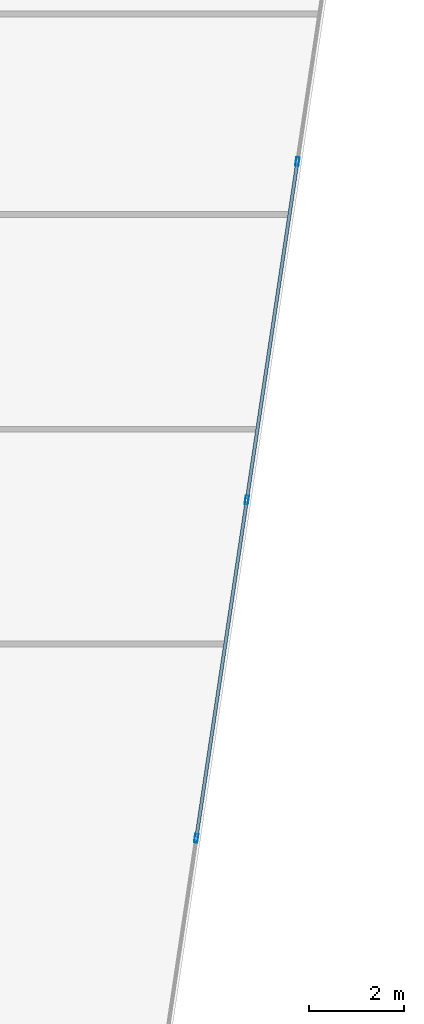
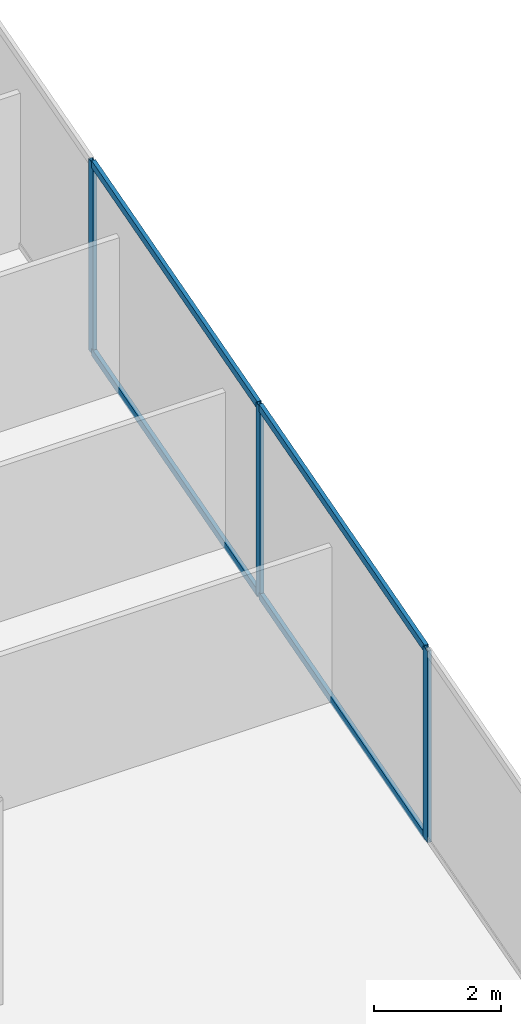
# One storey, part 14 of 29: 7 members, 1 element without a shape of its own.
"""IFC4 building model written with IfcOpenShell, lengths in metres."""

import ifcopenshell
import ifcopenshell.guid

model = None  # the IFC model being written
_history = None  # IfcOwnerHistory: only IFC2X3 demands one
_inside = {}  # id of a spatial element -> (the spatial element, [elements in it])
_under = {}  # id of a project, library or spatial element -> (it, [spatial elements below it])
_declared = {}  # id of a project -> (the project, [libraries it declares])
_typed = {}  # id of a type object -> (the type object, [elements of that type])
_made_of = {}  # id of a material, layer set ... -> (it, [elements and type objects made of it])


def new_model(schema):
    """Start an empty IFC model of exactly this schema.

    Asked for "IFC4X3", IfcOpenShell would pick the latest addendum, in which some entities
    have other attributes; the version numbers below select the first issue.
    IFC2X3 requires an IfcOwnerHistory on every rooted entity: one is made here for all.
    """
    global model, _history
    if schema == "IFC4X3":
        model = ifcopenshell.file(schema_version=(4, 3, 0, 0))
    else:
        model = ifcopenshell.file(schema=schema)
    _inside.clear()
    _under.clear()
    _declared.clear()
    _typed.clear()
    _made_of.clear()
    _history = None
    if model.schema == "IFC2X3":
        org = make("IfcOrganization", Name="unknown")
        user = make(
            "IfcPersonAndOrganization",
            ThePerson=make("IfcPerson", FamilyName="unknown"),
            TheOrganization=org,
        )
        app = make(
            "IfcApplication",
            ApplicationDeveloper=org,
            Version="unknown",
            ApplicationFullName="unknown",
            ApplicationIdentifier="unknown",
        )
        _history = make(
            "IfcOwnerHistory",
            OwningUser=user,
            OwningApplication=app,
            ChangeAction="ADDED",
            CreationDate=0,
        )
    return model


def make(cls, **values):
    """One entity of the class cls with the attributes given. An attribute that is None is left unset."""
    return model.create_entity(
        cls, **{name: value for name, value in values.items() if value is not None}
    )


def rooted(cls, **values):
    """An entity with a GlobalId (a new one), such as an element, a storey or a relation."""
    return make(cls, GlobalId=ifcopenshell.guid.new(), OwnerHistory=_history, **values)


def si_unit(unit_type, name, prefix=None):
    """IfcSIUnit, for example si_unit("LENGTHUNIT", "METRE", prefix="MILLI")."""
    return make("IfcSIUnit", UnitType=unit_type, Prefix=prefix, Name=name)


def assignment(units):
    """IfcUnitAssignment: the units of a project."""
    return None if units is None else make("IfcUnitAssignment", Units=units)


def point(xyz):
    """IfcCartesianPoint."""
    return None if xyz is None else make("IfcCartesianPoint", Coordinates=xyz)


def direction(xyz):
    """IfcDirection."""
    return None if xyz is None else make("IfcDirection", DirectionRatios=xyz)


def frame(location, z_axis=None, x_axis=None):
    """IfcAxis2Placement3D, a coordinate frame: its origin and axes. An axis left out is left unset."""
    return make(
        "IfcAxis2Placement3D",
        Location=point(location),
        Axis=direction(z_axis),
        RefDirection=direction(x_axis),
    )


def frame_2d(location, x_axis=None):
    """IfcAxis2Placement2D, a coordinate frame in the plane: its origin and x axis."""
    return make(
        "IfcAxis2Placement2D", Location=point(location), RefDirection=direction(x_axis)
    )


def origin():
    """The frame at (0, 0, 0) with its axes left unset."""
    return frame((0.0, 0.0, 0.0))


def origin_2d():
    """The frame at (0, 0) in the plane with its x axis left unset."""
    return frame_2d((0.0, 0.0))


def place(relative_to, where):
    """IfcLocalPlacement: puts the frame where relative to a parent placement (None: the world)."""
    return make(
        "IfcLocalPlacement", PlacementRelTo=relative_to, RelativePlacement=where
    )


def context(
    kind, dimensions, precision=None, world=None, true_north=None, identifier=None
):
    """IfcGeometricRepresentationContext, for example the 3D "Model" context."""
    return make(
        "IfcGeometricRepresentationContext",
        ContextIdentifier=identifier,
        ContextType=kind,
        CoordinateSpaceDimension=dimensions,
        Precision=precision,
        WorldCoordinateSystem=world,
        TrueNorth=true_north,
    )


def subcontext(parent, identifier, kind, view, scale=None):
    """IfcGeometricRepresentationSubContext, for example "Body" below "Model"."""
    return make(
        "IfcGeometricRepresentationSubContext",
        ContextIdentifier=identifier,
        ContextType=kind,
        ParentContext=parent,
        TargetScale=scale,
        TargetView=view,
    )


def project(units=None, contexts=None):
    """IfcProject with its units and contexts."""
    return rooted(
        "IfcProject",
        Name="project",
        RepresentationContexts=contexts,
        UnitsInContext=assignment(units),
    )


def spatial(cls, under=None, at=None, **own):
    """A site, building, storey or space (cls), placed at a placement, below another one or the project."""
    s = rooted(cls, ObjectPlacement=at, **own)
    if under is not None:
        _under.setdefault(under.id(), (under, []))[1].append(s)
    return s


def profile(cls, at=None, kind="AREA", **sizes):
    """A parametric profile (cls). Its sizes go by their IFC names, for example OverallWidth=200.0."""
    return make(cls, ProfileType=kind, Position=at, **sizes)


def hollow_rectangle(**sizes):
    """IfcRectangleHollowProfileDef."""
    return profile("IfcRectangleHollowProfileDef", **sizes)


def extrude(swept, where, along, depth):
    """IfcExtrudedAreaSolid: the profile swept, set in the frame where, extruded along a direction by depth."""
    return make(
        "IfcExtrudedAreaSolid",
        SweptArea=swept,
        Position=where,
        ExtrudedDirection=direction(along),
        Depth=depth,
    )


def shape(context_of_items, identifier, shape_type, items):
    """IfcShapeRepresentation: the items that make up one representation, for example the "Body"."""
    return make(
        "IfcShapeRepresentation",
        ContextOfItems=context_of_items,
        RepresentationIdentifier=identifier,
        RepresentationType=shape_type,
        Items=items,
    )


def source(mapping_origin, context_of_items, identifier, shape_type, items):
    """IfcRepresentationMap: a shape defined once, which mapped items show again and again."""
    return make(
        "IfcRepresentationMap",
        MappingOrigin=mapping_origin,
        MappedRepresentation=shape(context_of_items, identifier, shape_type, items),
    )


def transform(
    local_origin,
    x_axis=None,
    y_axis=None,
    z_axis=None,
    scale=None,
    scale2=None,
    scale3=None,
    uniform=True,
):
    """IfcCartesianTransformationOperator3D, or its non-uniform kind. x_axis, y_axis, z_axis: its Axis1, 2, 3."""
    if uniform:
        return make(
            "IfcCartesianTransformationOperator3D",
            Axis1=direction(x_axis),
            Axis2=direction(y_axis),
            LocalOrigin=point(local_origin),
            Scale=scale,
            Axis3=direction(z_axis),
        )
    return make(
        "IfcCartesianTransformationOperator3DnonUniform",
        Axis1=direction(x_axis),
        Axis2=direction(y_axis),
        LocalOrigin=point(local_origin),
        Scale=scale,
        Axis3=direction(z_axis),
        Scale2=scale2,
        Scale3=scale3,
    )


def mapped(mapping_source, mapping_target):
    """IfcMappedItem: shows the shape of a source again, moved by a transform."""
    return make(
        "IfcMappedItem", MappingSource=mapping_source, MappingTarget=mapping_target
    )


def material(Name=None, Category=None):
    """IfcMaterial."""
    return make("IfcMaterial", Name=Name, Category=Category)


def material_profile(
    of_material, cross_section, Name=None, Category=None, Priority=None
):
    """IfcMaterialProfile: a cross section and its material."""
    return make(
        "IfcMaterialProfile",
        Name=Name,
        Material=of_material,
        Profile=cross_section,
        Priority=Priority,
        Category=Category,
    )


def profile_set(profiles, Name=None, composite=None):
    """IfcMaterialProfileSet."""
    return make(
        "IfcMaterialProfileSet",
        Name=Name,
        MaterialProfiles=profiles,
        CompositeProfile=composite,
    )


def made_of(thing, what):
    """Note that an element or type object is made of a material, layer set ...; save() writes the relation."""
    if what is not None:
        _made_of.setdefault(what.id(), (what, []))[1].append(thing)
    return thing


def type_object(cls, material=None, **own):
    """A type object (cls), such as IfcWallType, which elements share."""
    return made_of(rooted(cls, **own), material)


def type_shapes(of_type, sources):
    """Give a type object the sources (RepresentationMaps) that its elements show as mapped items."""
    of_type.RepresentationMaps = sources


def element(
    cls,
    number,
    at=None,
    inside=None,
    cuts=None,
    type_object=None,
    material=None,
    context=None,
    identifier="Body",
    shape_type=None,
    held_by="IfcProductDefinitionShape",
    body=None,
    shapes=None,
    **own,
):
    """One element of the class cls, such as IfcWall. Its Tag is "e" and its number.

    at: its placement. inside: the storey or other place that contains it. cuts: it is an
    opening in that element (IfcRelVoidsElement). A single representation is given by context,
    identifier, shape_type and body (its items); several are given by shapes. held_by: the class
    of the entity that holds the representations. save() writes the other relations.
    """
    e = rooted(cls, Tag="e%d" % number, ObjectPlacement=at, **own)
    if body is not None:
        shapes = [shape(context, identifier, shape_type, body)]
    if shapes is not None:
        e.Representation = make(held_by, Representations=shapes)
    if inside is not None:
        _inside.setdefault(inside.id(), (inside, []))[1].append(e)
    if cuts is not None:
        rooted(
            "IfcRelVoidsElement", RelatingBuildingElement=cuts, RelatedOpeningElement=e
        )
    if type_object is not None:
        _typed.setdefault(type_object.id(), (type_object, []))[1].append(e)
    return made_of(e, material)


def aggregate(whole, parts):
    """IfcRelAggregates: a whole, such as a stair, and the parts it consists of."""
    return rooted("IfcRelAggregates", RelatingObject=whole, RelatedObjects=parts)


def save(model, path):
    """Write the relations noted so far, then the file.

    IfcRelAggregates (storeys below a building ...), IfcRelContainedInSpatialStructure (elements
    in a storey), IfcRelDefinesByType, IfcRelAssociatesMaterial and IfcRelDeclares: one each for
    every whole, place, type object, material and project.
    """
    for whole, parts in _under.values():
        aggregate(whole, parts)
    for where, things in _inside.values():
        rooted(
            "IfcRelContainedInSpatialStructure",
            RelatedElements=things,
            RelatingStructure=where,
        )
    for kind, things in _typed.values():
        rooted("IfcRelDefinesByType", RelatedObjects=things, RelatingType=kind)
    for what, things in _made_of.values():
        rooted("IfcRelAssociatesMaterial", RelatedObjects=things, RelatingMaterial=what)
    for by, libraries in _declared.values():
        rooted("IfcRelDeclares", RelatingContext=by, RelatedDefinitions=libraries)
    model.write(path)


model = new_model("IFC4")

# Units and contexts
model_context = context("Model", 3, precision=1e-05, world=origin(), true_north=direction((0.0, 1.0)))
body_context = subcontext(model_context, "Body", "Model", "MODEL_VIEW")
ifc_project = project(units=[si_unit("LENGTHUNIT", "METRE"), si_unit("AREAUNIT", "SQUARE_METRE"), si_unit("VOLUMEUNIT", "CUBIC_METRE"), si_unit("PLANEANGLEUNIT", "RADIAN"), si_unit("MASSUNIT", "GRAM", prefix="KILO")], contexts=[model_context])

# Site, building, storey
site_placement = place(None, origin())
site = spatial("IfcSite", under=ifc_project, at=site_placement, CompositionType="ELEMENT")
building_placement = place(site_placement, origin())
building = spatial("IfcBuilding", under=site, at=building_placement, Name="Krantzveldt Concourse Tower", CompositionType="ELEMENT")
storey_placement = place(building_placement, frame((0.0, 0.0, 72.39990234375)))
storey = spatial("IfcBuildingStorey", under=building, at=storey_placement, Name="L17", CompositionType="ELEMENT", Elevation=72.39990234375)

# Curtain wall, members
ifc_material = material(Name="Anodised aluminium 6063-T6", Category="aluminium")
curtain_wall_type = type_object("IfcCurtainWallType", Name="CW2", PredefinedType="USERDEFINED", material=ifc_material)
curtain_wall_placement = place(storey_placement, origin())
curtain_wall = element("IfcCurtainWall", 1, at=curtain_wall_placement, inside=storey, type_object=curtain_wall_type, Name="CW-L17-F07", ObjectType="UNITISED CURTAIN WALL", PredefinedType="USERDEFINED")
ifc_material_profile_1 = material_profile(ifc_material, hollow_rectangle(XDim=0.070068359375, YDim=0.179931640625, WallThickness=0.0048828125, at=origin_2d()), Name="Anodised aluminium 6063-T6", Category="aluminium")
ifc_profile_set_1 = profile_set([ifc_material_profile_1], Name="Anodised aluminium 6063-T6 - ALU-MULL 180x70x5")
member_type_1 = type_object("IfcMemberType", Name="CW-MUL-180", PredefinedType="MULLION", material=ifc_profile_set_1)
shared_shape_1 = source(origin(), body_context, "Body", "SweptSolid", [
    extrude(hollow_rectangle(XDim=0.070068359375, YDim=0.179931640625, WallThickness=0.0048828125, at=origin_2d()), origin(), (0.0, 0.0, 1.0), 3.670166015625),
])
type_shapes(member_type_1, [shared_shape_1])
member_1_placement = place(storey_placement, frame((59.5771484375, 15.93017578125, 0.0), z_axis=(0.0, 0.0, 1.0), x_axis=(-0.989015849271, 0.147809505412, 0.0)))
member_1 = element("IfcMember", 2, at=member_1_placement, type_object=member_type_1, Name="CW-Z12 mullion 3", PredefinedType="MULLION", context=body_context, shape_type="MappedRepresentation", body=[
    mapped(shared_shape_1, transform((0.0, 0.0, 0.0), x_axis=(1.0, 0.0, 0.0), y_axis=(0.0, 1.0, 0.0), z_axis=(0.0, 0.0, 1.0), scale=1.0)),
])
member_2_placement = place(storey_placement, frame((60.636474609375, 23.01806640625, 0.0), z_axis=(0.0, 0.0, 1.0), x_axis=(-0.989015849271, 0.147809505412, 0.0)))
member_2 = element("IfcMember", 3, at=member_2_placement, type_object=member_type_1, Name="CW-Z12 mullion 4", PredefinedType="MULLION", context=body_context, shape_type="MappedRepresentation", body=[
    mapped(shared_shape_1, transform((0.0, 0.0, 0.0), x_axis=(1.0, 0.0, 0.0), y_axis=(0.0, 1.0, 0.0), z_axis=(0.0, 0.0, 1.0), scale=1.0)),
])
member_3_placement = place(storey_placement, frame((61.69580078125, 30.10595703125, 0.0), z_axis=(0.0, 0.0, 1.0), x_axis=(-0.989015849271, 0.147809505412, 0.0)))
member_3 = element("IfcMember", 4, at=member_3_placement, type_object=member_type_1, Name="CW-Z12 mullion 5", PredefinedType="MULLION", context=body_context, shape_type="MappedRepresentation", body=[
    mapped(shared_shape_1, transform((0.0, 0.0, 0.0), x_axis=(1.0, 0.0, 0.0), y_axis=(0.0, 1.0, 0.0), z_axis=(0.0, 0.0, 1.0), scale=1.0)),
])
ifc_material_profile_2 = material_profile(ifc_material, hollow_rectangle(XDim=0.070068359375, YDim=0.139892578125, WallThickness=0.0048828125, at=origin_2d()), Name="Anodised aluminium 6063-T6", Category="aluminium")
ifc_profile_set_2 = profile_set([ifc_material_profile_2], Name="Anodised aluminium 6063-T6 - ALU-TRAN 140x70x5")
member_type_2 = type_object("IfcMemberType", Name="CW-TRN-150", PredefinedType="USERDEFINED", material=ifc_profile_set_2)
shared_shape_2 = source(origin(), body_context, "Body", "SweptSolid", [
    extrude(hollow_rectangle(XDim=0.070068359375, YDim=0.139892578125, WallThickness=0.0048828125, at=origin_2d()), origin(), (0.0, 0.0, 1.0), 7.096435546875),
])
type_shapes(member_type_2, [shared_shape_2])
member_4_placement = place(storey_placement, frame((59.582275390625, 15.96484375, 0.03515625), z_axis=(0.147795365468, 0.989017962398, 0.0), x_axis=(-0.989017962398, 0.147795365468, 0.0)))
member_4 = element("IfcMember", 5, at=member_4_placement, type_object=member_type_2, Name="CW-Z12 transom 3.1", ObjectType="TRANSOM", PredefinedType="USERDEFINED", context=body_context, shape_type="MappedRepresentation", body=[
    mapped(shared_shape_2, transform((0.0, 0.0, 0.0), x_axis=(1.0, 0.0, 0.0), y_axis=(0.0, 1.0, 0.0), z_axis=(0.0, 0.0, 1.0), scale=1.0)),
])
member_5_placement = place(storey_placement, frame((59.582275390625, 15.96484375, 3.635009765625), z_axis=(0.147795365468, 0.989017962398, 0.0), x_axis=(-0.989017962398, 0.147795365468, 0.0)))
member_5 = element("IfcMember", 6, at=member_5_placement, type_object=member_type_2, Name="CW-Z12 transom 3.2", ObjectType="TRANSOM", PredefinedType="USERDEFINED", context=body_context, shape_type="MappedRepresentation", body=[
    mapped(shared_shape_2, transform((0.0, 0.0, 0.0), x_axis=(1.0, 0.0, 0.0), y_axis=(0.0, 1.0, 0.0), z_axis=(0.0, 0.0, 1.0), scale=1.0)),
])
member_6_placement = place(storey_placement, frame((60.6416015625, 23.052734375, 0.03515625), z_axis=(0.147795365468, 0.989017962398, 0.0), x_axis=(-0.989017962398, 0.147795365468, 0.0)))
member_6 = element("IfcMember", 7, at=member_6_placement, type_object=member_type_2, Name="CW-Z12 transom 4.1", ObjectType="TRANSOM", PredefinedType="USERDEFINED", context=body_context, shape_type="MappedRepresentation", body=[
    mapped(shared_shape_2, transform((0.0, 0.0, 0.0), x_axis=(1.0, 0.0, 0.0), y_axis=(0.0, 1.0, 0.0), z_axis=(0.0, 0.0, 1.0), scale=1.0)),
])
member_7_placement = place(storey_placement, frame((60.6416015625, 23.052734375, 3.635009765625), z_axis=(0.147795365468, 0.989017962398, 0.0), x_axis=(-0.989017962398, 0.147795365468, 0.0)))
member_7 = element("IfcMember", 8, at=member_7_placement, type_object=member_type_2, Name="CW-Z12 transom 4.2", ObjectType="TRANSOM", PredefinedType="USERDEFINED", context=body_context, shape_type="MappedRepresentation", body=[
    mapped(shared_shape_2, transform((0.0, 0.0, 0.0), x_axis=(1.0, 0.0, 0.0), y_axis=(0.0, 1.0, 0.0), z_axis=(0.0, 0.0, 1.0), scale=1.0)),
])
aggregate(curtain_wall, [member_1, member_2, member_3, member_4, member_5, member_6, member_7])

save(model, "model.ifc")
